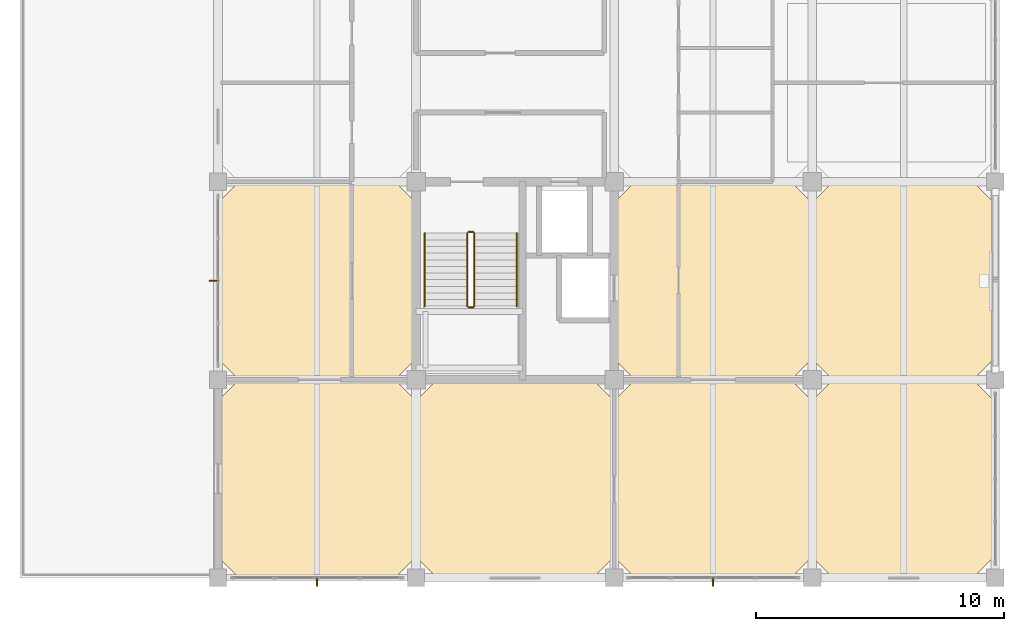
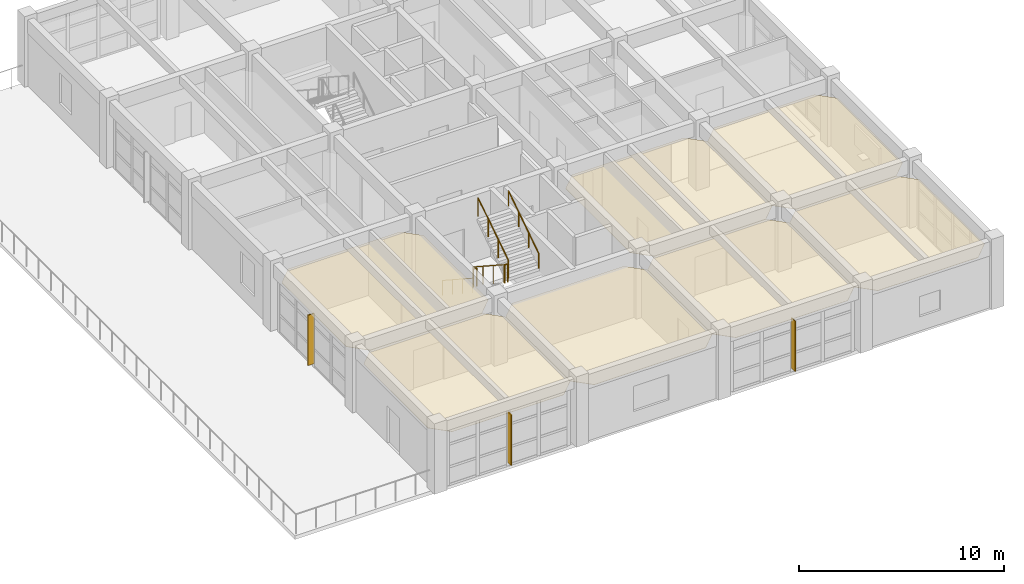
# One storey, part 22 of 25: 7 coverings, 6 railings, 3 shading devices.
"""IFC4 building model written with IfcOpenShell, lengths in metres."""

from ifc_helpers import new_model, si_unit, direction, frame, origin, origin_2d, place, context, subcontext, project, spatial, polyline, rectangle, circle, outline, extrude, material, layer, layer_set, type_object, element, save


model = new_model("IFC4")

# Units and contexts
model_context = context("Model", 3, precision=1e-05, world=origin(), true_north=direction((0.0, 1.0)))
body_context = subcontext(model_context, "Body", "Model", "MODEL_VIEW")
ifc_project = project(units=[si_unit("LENGTHUNIT", "METRE"), si_unit("AREAUNIT", "SQUARE_METRE"), si_unit("VOLUMEUNIT", "CUBIC_METRE"), si_unit("PLANEANGLEUNIT", "RADIAN"), si_unit("MASSUNIT", "GRAM", prefix="KILO")], contexts=[model_context])

# Site, building, storey
site_placement = place(None, origin())
site = spatial("IfcSite", under=ifc_project, at=site_placement, CompositionType="ELEMENT")
building_placement = place(site_placement, origin())
building = spatial("IfcBuilding", under=site, at=building_placement, Name="Canggui Botanical Conservatory", CompositionType="ELEMENT")
storey_placement = place(building_placement, frame((0.0, 0.0, 40.199951171875)))
storey = spatial("IfcBuildingStorey", under=building, at=storey_placement, Name="L10", CompositionType="ELEMENT", Elevation=40.199951171875)

# Coverings
ifc_material_1 = material(Name="Mineral Fibre Acoustic Board")
ifc_layer_1 = layer(ifc_material_1, 0.014892578125, Name="Mineral Fibre Acoustic Board")
ifc_layer_set_1 = layer_set([ifc_layer_1], Name="Mineral Fibre Acoustic Board")
covering_type_1 = type_object("IfcCoveringType", Name="COV-CEIL-15", PredefinedType="CEILING", material=ifc_layer_set_1)
covering_1_placement = place(storey_placement, frame((0.0, 0.0, 3.094970703125)))
element("IfcCovering", 1, at=covering_1_placement, inside=storey, type_object=covering_type_1, Name="Suspended Acoustic Ceiling L10-146-34", PredefinedType="CEILING", context=body_context, shape_type="SweptSolid", body=[
    extrude(outline(polyline([(146.85009765625, 34.0), (153.14990234375, 34.0), (154.0, 34.85009765625), (154.0, 41.14990234375), (153.14990234375, 42.0), (146.85009765625, 42.0), (146.0, 41.14990234375), (146.0, 34.85009765625), (146.85009765625, 34.0)])), origin(), (0.0, 0.0, 1.0), 0.01513671875),
])
covering_2_placement = place(storey_placement, frame((0.0, 0.0, 3.094970703125)))
element("IfcCovering", 2, at=covering_2_placement, inside=storey, type_object=covering_type_1, Name="Suspended Acoustic Ceiling L10-162-34", PredefinedType="CEILING", context=body_context, shape_type="SweptSolid", body=[
    extrude(outline(polyline([(162.85009765625, 34.0), (169.14990234375, 34.0), (170.0, 34.85009765625), (170.0, 41.14990234375), (169.14990234375, 42.0), (162.85009765625, 42.0), (162.0, 41.14990234375), (162.0, 34.85009765625), (162.85009765625, 34.0)])), origin(), (0.0, 0.0, 1.0), 0.01513671875),
])
covering_3_placement = place(storey_placement, frame((0.0, 0.0, 3.094970703125)))
element("IfcCovering", 3, at=covering_3_placement, inside=storey, type_object=covering_type_1, Name="Suspended Acoustic Ceiling L10-170-42", PredefinedType="CEILING", context=body_context, shape_type="SweptSolid", body=[
    extrude(outline(polyline([(170.85009765625, 42.0), (176.5, 42.0), (177.35009765625, 42.85009765625), (177.35009765625, 49.14990234375), (176.5, 50.0), (170.85009765625, 50.0), (170.0, 49.14990234375), (170.0, 42.85009765625), (170.85009765625, 42.0)])), origin(), (0.0, 0.0, 1.0), 0.01513671875),
])
ifc_material_2 = material(Name="Perforated Gypsum Acoustic Panel")
ifc_layer_2 = layer(ifc_material_2, 0.02001953125, Name="Perforated Gypsum Acoustic Panel")
ifc_layer_set_2 = layer_set([ifc_layer_2], Name="Perforated Gypsum Acoustic Panel")
covering_type_2 = type_object("IfcCoveringType", Name="COV-CEIL-20", PredefinedType="CEILING", material=ifc_layer_set_2)
covering_4_placement = place(storey_placement, frame((0.0, 0.0, 3.090087890625)))
element("IfcCovering", 4, at=covering_4_placement, inside=storey, type_object=covering_type_2, Name="Suspended Acoustic Ceiling L10-146-42", PredefinedType="CEILING", context=body_context, shape_type="SweptSolid", body=[
    extrude(outline(polyline([(146.85009765625, 42.0), (153.14990234375, 42.0), (154.0, 42.85009765625), (154.0, 49.14990234375), (153.14990234375, 50.0), (146.85009765625, 50.0), (146.0, 49.14990234375), (146.0, 42.85009765625), (146.85009765625, 42.0)])), origin(), (0.0, 0.0, 1.0), 0.02001953125),
])
covering_5_placement = place(storey_placement, frame((0.0, 0.0, 3.090087890625)))
element("IfcCovering", 5, at=covering_5_placement, inside=storey, type_object=covering_type_2, Name="Suspended Acoustic Ceiling L10-154-34", PredefinedType="CEILING", context=body_context, shape_type="SweptSolid", body=[
    extrude(outline(polyline([(154.85009765625, 34.0), (161.14990234375, 34.0), (162.0, 34.85009765625), (162.0, 41.14990234375), (161.14990234375, 42.0), (154.85009765625, 42.0), (154.0, 41.14990234375), (154.0, 34.85009765625), (154.85009765625, 34.0)])), origin(), (0.0, 0.0, 1.0), 0.02001953125),
])
covering_6_placement = place(storey_placement, frame((0.0, 0.0, 3.090087890625)))
element("IfcCovering", 6, at=covering_6_placement, inside=storey, type_object=covering_type_2, Name="Suspended Acoustic Ceiling L10-162-42", PredefinedType="CEILING", context=body_context, shape_type="SweptSolid", body=[
    extrude(outline(polyline([(162.85009765625, 42.0), (169.14990234375, 42.0), (170.0, 42.85009765625), (170.0, 49.14990234375), (169.14990234375, 50.0), (162.85009765625, 50.0), (162.0, 49.14990234375), (162.0, 42.85009765625), (162.85009765625, 42.0)])), origin(), (0.0, 0.0, 1.0), 0.02001953125),
])
covering_7_placement = place(storey_placement, frame((0.0, 0.0, 3.090087890625)))
element("IfcCovering", 7, at=covering_7_placement, inside=storey, type_object=covering_type_2, Name="Suspended Acoustic Ceiling L10-170-34", PredefinedType="CEILING", context=body_context, shape_type="SweptSolid", body=[
    extrude(outline(polyline([(170.85009765625, 34.0), (176.5, 34.0), (177.35009765625, 34.85009765625), (177.35009765625, 41.14990234375), (176.5, 42.0), (170.85009765625, 42.0), (170.0, 41.14990234375), (170.0, 34.85009765625), (170.85009765625, 34.0)])), origin(), (0.0, 0.0, 1.0), 0.02001953125),
])

# Railings
ifc_material_3 = material(Name="Stainless Steel 304", Category="steel")
railing_type_1 = type_object("IfcRailingType", Name="RAIL-GUARD-1100", PredefinedType="BALUSTRADE", material=ifc_material_3)
railing_1_placement = place(storey_placement, frame((156.070068359375, 47.919921875, 0.175048828125)))
element("IfcRailing", 8, at=railing_1_placement, inside=storey, type_object=railing_type_1, Name="L10 ST-T1 stair guard 1", PredefinedType="BALUSTRADE", context=body_context, shape_type="SweptSolid", body=[
    extrude(circle(Radius=0.02392578125, at=origin_2d()), frame((0.0, 0.0, 1.076171875), z_axis=(0.0, -0.837293178872, 0.54675417933), x_axis=(1.0, 0.0, 0.0)), (0.0, 0.0, 1.0), 3.520751953125),
    extrude(circle(Radius=0.02099609375, at=origin_2d()), origin(), (0.0, 0.0, 1.0), 1.052001953125),
    extrude(circle(Radius=0.02099609375, at=origin_2d()), frame((0.0, -0.982666015625, 0.6416015625)), (0.0, 0.0, 1.0), 1.052001953125),
    extrude(circle(Radius=0.02099609375, at=origin_2d()), frame((0.0, -1.96533203125, 1.283447265625)), (0.0, 0.0, 1.0), 1.052001953125),
    extrude(circle(Radius=0.02099609375, at=origin_2d()), frame((0.0, -2.947998046875, 1.925048828125)), (0.0, 0.0, 1.0), 1.052001953125),
])
railing_2_placement = place(storey_placement, frame((156.1201171875, 44.922119140625, 2.10009765625)))
element("IfcRailing", 9, at=railing_2_placement, inside=storey, type_object=railing_type_1, Name="L10 ST-T1 stair guard 2", PredefinedType="BALUSTRADE", context=body_context, shape_type="SweptSolid", body=[
    extrude(circle(Radius=0.02392578125, at=origin_2d()), frame((0.0, 0.0, 1.076171875), z_axis=(1.0, 0.0, 0.0), x_axis=(0.0, 1.0, 0.0)), (0.0, 0.0, 1.0), 0.179931640625),
    extrude(circle(Radius=0.02099609375, at=origin_2d()), origin(), (0.0, 0.0, 1.0), 1.052001953125),
    extrude(circle(Radius=0.02099609375, at=origin_2d()), frame((0.179931640625, 0.0, 0.0)), (0.0, 0.0, 1.0), 1.052001953125),
])
railing_3_placement = place(storey_placement, frame((156.35009765625, 44.971923828125, 2.275146484375)))
element("IfcRailing", 10, at=railing_3_placement, inside=storey, type_object=railing_type_1, Name="L10 ST-T1 stair guard 3", PredefinedType="BALUSTRADE", context=body_context, shape_type="SweptSolid", body=[
    extrude(circle(Radius=0.02392578125, at=origin_2d()), frame((0.0, 0.0, 1.076171875), z_axis=(0.0, 0.837324922549, 0.546705564338), x_axis=(-1.0, 0.0, 0.0)), (0.0, 0.0, 1.0), 3.520751953125),
    extrude(circle(Radius=0.02099609375, at=origin_2d()), origin(), (0.0, 0.0, 1.0), 1.052001953125),
    extrude(circle(Radius=0.02099609375, at=origin_2d()), frame((0.0, 0.982666015625, 0.6416015625)), (0.0, 0.0, 1.0), 1.052001953125),
    extrude(circle(Radius=0.02099609375, at=origin_2d()), frame((0.0, 1.96533203125, 1.283203125)), (0.0, 0.0, 1.0), 1.052001953125),
    extrude(circle(Radius=0.02099609375, at=origin_2d()), frame((0.0, 2.947998046875, 1.9248046875)), (0.0, 0.0, 1.0), 1.052001953125),
])
railing_4_placement = place(storey_placement, frame((156.1201171875, 47.969970703125, 0.0)))
element("IfcRailing", 11, at=railing_4_placement, inside=storey, type_object=railing_type_1, Name="L10 ST-T1 stair guard 4", PredefinedType="BALUSTRADE", context=body_context, shape_type="SweptSolid", body=[
    extrude(circle(Radius=0.02392578125, at=origin_2d()), frame((0.0, 0.0, 1.076171875), z_axis=(1.0, 0.0, 0.0), x_axis=(0.0, 1.0, 0.0)), (0.0, 0.0, 1.0), 0.179931640625),
    extrude(circle(Radius=0.02099609375, at=origin_2d()), origin(), (0.0, 0.0, 1.0), 1.052001953125),
    extrude(circle(Radius=0.02099609375, at=origin_2d()), frame((0.179931640625, 0.0, 0.0)), (0.0, 0.0, 1.0), 1.052001953125),
])
railing_type_2 = type_object("IfcRailingType", Name="RAIL-HAND-900", PredefinedType="HANDRAIL", material=ifc_material_3)
railing_5_placement = place(storey_placement, frame((154.35009765625, 47.919921875, 0.175048828125)))
element("IfcRailing", 12, at=railing_5_placement, inside=storey, type_object=railing_type_2, Name="L10 ST-T1 stair handrail 1", PredefinedType="HANDRAIL", context=body_context, shape_type="SweptSolid", body=[
    extrude(circle(Radius=0.02392578125, at=origin_2d()), frame((0.0, 0.0, 0.8759765625), z_axis=(0.0, -0.837293178872, 0.54675417933), x_axis=(1.0, 0.0, 0.0)), (0.0, 0.0, 1.0), 3.520751953125),
    extrude(circle(Radius=0.02099609375, at=origin_2d()), origin(), (0.0, 0.0, 1.0), 0.851806640625),
    extrude(circle(Radius=0.02099609375, at=origin_2d()), frame((0.0, -0.982666015625, 0.6416015625)), (0.0, 0.0, 1.0), 0.851806640625),
    extrude(circle(Radius=0.02099609375, at=origin_2d()), frame((0.0, -1.96533203125, 1.283447265625)), (0.0, 0.0, 1.0), 0.851806640625),
    extrude(circle(Radius=0.02099609375, at=origin_2d()), frame((0.0, -2.947998046875, 1.925048828125)), (0.0, 0.0, 1.0), 0.851806640625),
])
railing_6_placement = place(storey_placement, frame((158.070068359375, 44.971923828125, 2.275146484375)))
element("IfcRailing", 13, at=railing_6_placement, inside=storey, type_object=railing_type_2, Name="L10 ST-T1 stair handrail 2", PredefinedType="HANDRAIL", context=body_context, shape_type="SweptSolid", body=[
    extrude(circle(Radius=0.02392578125, at=origin_2d()), frame((0.0, 0.0, 0.8759765625), z_axis=(0.0, 0.837324922549, 0.546705564338), x_axis=(-1.0, 0.0, 0.0)), (0.0, 0.0, 1.0), 3.520751953125),
    extrude(circle(Radius=0.02099609375, at=origin_2d()), origin(), (0.0, 0.0, 1.0), 0.851806640625),
    extrude(circle(Radius=0.02099609375, at=origin_2d()), frame((0.0, 0.982666015625, 0.6416015625)), (0.0, 0.0, 1.0), 0.851806640625),
    extrude(circle(Radius=0.02099609375, at=origin_2d()), frame((0.0, 1.96533203125, 1.283203125)), (0.0, 0.0, 1.0), 0.851806640625),
    extrude(circle(Radius=0.02099609375, at=origin_2d()), frame((0.0, 2.947998046875, 1.9248046875)), (0.0, 0.0, 1.0), 0.851806640625),
])

# Shading devices
ifc_material_4 = material(Name="Anodised Aluminium", Category="aluminium")
shading_device_type = type_object("IfcShadingDeviceType", Name="SHD-FIN02", PredefinedType="AWNING", material=ifc_material_4)
for number, where, z_axis, x_axis, name in (
    (14, (166.0, 33.8349609375, 0.199951171875), (0.0, 0.0, 1.0), (-1.0, 0.0, 0.0), "Solar Shading Fin CW-TWR-L10-02"),
    (15, (150.0, 33.8349609375, 0.199951171875), (0.0, 0.0, 1.0), (-1.0, 0.0, 0.0), "Solar Shading Fin CW-TWR-L10-04"),
    (16, (145.8349609375, 46.0, 0.199951171875), (0.0, 0.0, 1.0), (0.0, 1.0, 0.0), "Solar Shading Fin CW-TWR-L10-06"),
):
    element("IfcShadingDevice", number, at=place(storey_placement, frame(where, z_axis=z_axis, x_axis=x_axis)), inside=storey, type_object=shading_device_type, Name=name, PredefinedType="AWNING", context=body_context, shape_type="SweptSolid", body=[
        extrude(rectangle(XDim=0.06005859375, YDim=0.360107421875, at=origin_2d()), origin(), (0.0, 0.0, 1.0), 3.0),
    ])

save(model, "model.ifc")
